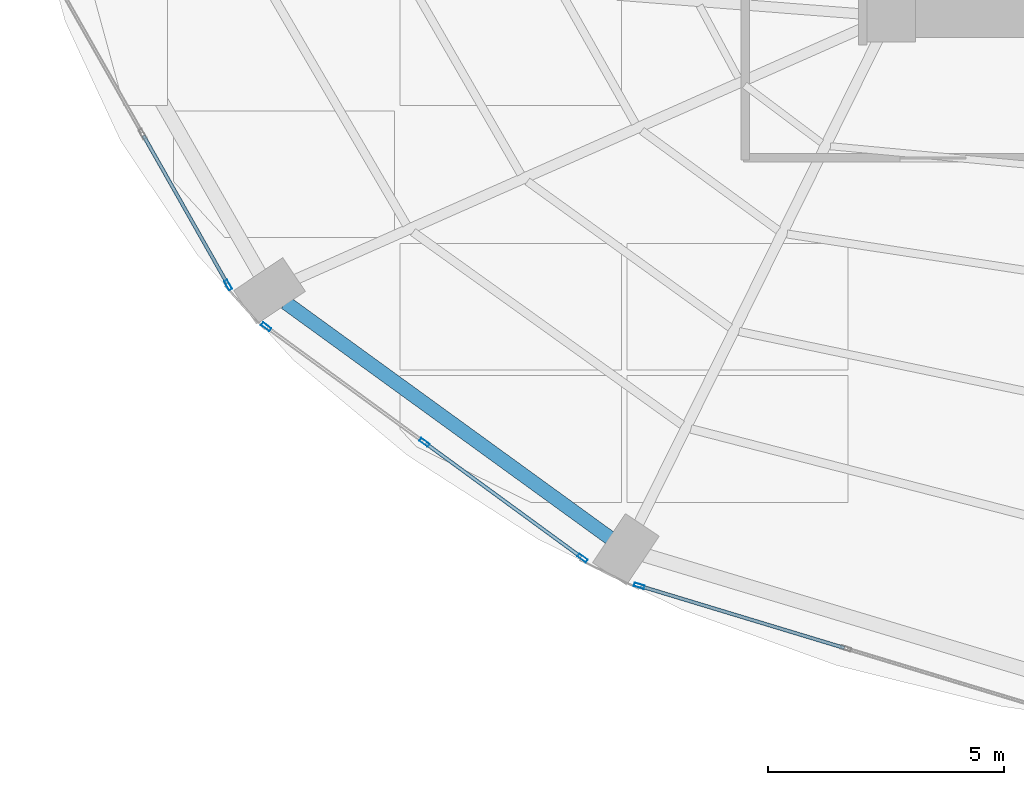
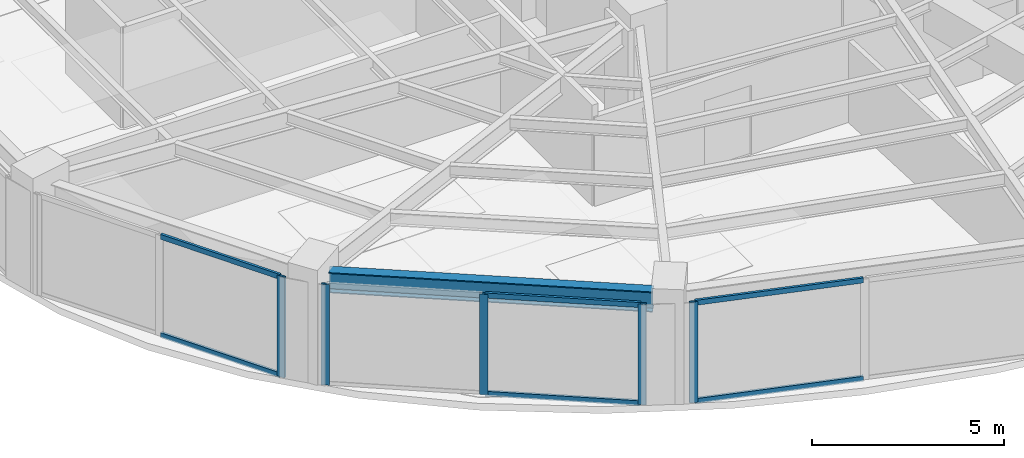
# One storey, part 2 of 24: 11 members, 1 beam, 3 elements without a shape of their own.
"""IFC4 building model written with IfcOpenShell, lengths in metres."""

from ifc_helpers import new_model, si_unit, direction, frame, origin, origin_2d, place, context, subcontext, project, spatial, hollow_rectangle, i_section, extrude, material, layer, layer_set, material_profile, profile_set, type_object, element, aggregate, save


model = new_model("IFC4")

# Units and contexts
model_context = context("Model", 3, precision=1e-05, world=origin(), true_north=direction((0.0, 1.0)))
body_context = subcontext(model_context, "Body", "Model", "MODEL_VIEW")
ifc_project = project(units=[si_unit("LENGTHUNIT", "METRE"), si_unit("AREAUNIT", "SQUARE_METRE"), si_unit("VOLUMEUNIT", "CUBIC_METRE"), si_unit("PLANEANGLEUNIT", "RADIAN"), si_unit("MASSUNIT", "GRAM", prefix="KILO")], contexts=[model_context])

# Site, building, storey
site_placement = place(None, origin())
site = spatial("IfcSite", under=ifc_project, at=site_placement, CompositionType="ELEMENT")
building_placement = place(site_placement, origin())
building = spatial("IfcBuilding", under=site, at=building_placement, Name="Lazwardi Medical Tower", CompositionType="ELEMENT")
storey_placement = place(building_placement, frame((0.0, 0.0, 72.6240234375)))
storey = spatial("IfcBuildingStorey", under=building, at=storey_placement, Name="L18", CompositionType="ELEMENT", Elevation=72.6240234375)

# Beam
ifc_material_1 = material(Name="Steel S355", Category="steel")
ifc_material_profile_1 = material_profile(ifc_material_1, i_section(OverallWidth=0.300048828125, OverallDepth=0.64990234375, WebThickness=0.01611328125, FlangeThickness=0.031005859375, at=origin_2d()), Name="HEB 650")
ifc_profile_set_1 = profile_set([ifc_material_profile_1], Name="Steel S355")
beam_type = type_object("IfcBeamType", Name="BM-RB-Z1", PredefinedType="BEAM", material=ifc_profile_set_1)
beam_placement = place(storey_placement, frame((13.6201171875, 14.339111328125, 2.873046875), z_axis=(0.809407079515, -0.587247971159, 0.0), x_axis=(0.587247971159, 0.809407079515, 0.0)))
element("IfcBeam", 1, at=beam_placement, inside=storey, type_object=beam_type, Name="Ring beam RB-02 B14 L18", PredefinedType="BEAM", context=body_context, shape_type="SweptSolid", body=[
    extrude(i_section(OverallWidth=0.300048828125, OverallDepth=0.64990234375, WebThickness=0.01611328125, FlangeThickness=0.031005859375, at=origin_2d()), origin(), (0.0, 0.0, 1.0), 8.473876953125),
])

# Curtain wall, member
ifc_material_2 = material(Name="Anodised bronze aluminium and solar control glazing", Category="aluminium")
ifc_layer = layer(ifc_material_2, 0.199951171875)
ifc_layer_set = layer_set([ifc_layer], Name="Anodised bronze aluminium and solar control glazing")
curtain_wall_type = type_object("IfcCurtainWallType", Name="CW-SYS-02", PredefinedType="NOTDEFINED", material=ifc_layer_set)
curtain_wall_1_placement = place(storey_placement, origin())
curtain_wall_1 = element("IfcCurtainWall", 2, at=curtain_wall_1_placement, inside=storey, type_object=curtain_wall_type, Name="L18 Unitised bronze curtain wall CW-02", PredefinedType="NOTDEFINED")
ifc_material_3 = material(Name="Anodised bronze aluminium", Category="aluminium")
ifc_material_profile_2 = material_profile(ifc_material_3, hollow_rectangle(XDim=0.074951171875, YDim=0.219970703125, WallThickness=0.00390625, at=origin_2d()), Name="ALU-MULLION 220x75x4")
ifc_profile_set_2 = profile_set([ifc_material_profile_2], Name="Anodised bronze aluminium")
member_type_1 = type_object("IfcMemberType", Name="CW-MUL-01", PredefinedType="MULLION", material=ifc_profile_set_2)
member_1_placement = place(storey_placement, frame((12.4033203125, 14.71142578125, 0.0), z_axis=(0.0, 0.0, 1.0), x_axis=(0.870111838823, 0.492854327303, 0.0)))
member_1 = element("IfcMember", 3, at=member_1_placement, type_object=member_type_1, Name="CW-02 mullion 3", PredefinedType="MULLION", context=body_context, shape_type="SweptSolid", body=[
    extrude(hollow_rectangle(XDim=0.074951171875, YDim=0.219970703125, WallThickness=0.00390625, at=origin_2d()), origin(), (0.0, 0.0, 1.0), 3.197998046875),
])

# Curtain wall, members
curtain_wall_2_placement = place(storey_placement, origin())
curtain_wall_2 = element("IfcCurtainWall", 4, at=curtain_wall_2_placement, inside=storey, type_object=curtain_wall_type, Name="L18 Unitised bronze curtain wall CW-02", PredefinedType="NOTDEFINED")
member_2_placement = place(storey_placement, frame((13.209716796875, 13.827392578125, 0.0), z_axis=(0.0, 0.0, 1.0), x_axis=(0.590289307341, 0.807191757663, 0.0)))
member_2 = element("IfcMember", 5, at=member_2_placement, type_object=member_type_1, Name="CW-02 mullion 1", PredefinedType="MULLION", context=body_context, shape_type="SweptSolid", body=[
    extrude(hollow_rectangle(XDim=0.074951171875, YDim=0.219970703125, WallThickness=0.00390625, at=origin_2d()), origin(), (0.0, 0.0, 1.0), 3.197998046875),
])
member_3_placement = place(storey_placement, frame((16.5556640625, 11.380615234375, 0.0), z_axis=(0.0, 0.0, 1.0), x_axis=(0.590289307341, 0.807191757663, 0.0)))
member_3 = element("IfcMember", 6, at=member_3_placement, type_object=member_type_1, Name="CW-02 mullion 2", PredefinedType="MULLION", context=body_context, shape_type="SweptSolid", body=[
    extrude(hollow_rectangle(XDim=0.074951171875, YDim=0.219970703125, WallThickness=0.00390625, at=origin_2d()), origin(), (0.0, 0.0, 1.0), 3.197998046875),
])
member_4_placement = place(storey_placement, frame((19.9013671875, 8.933837890625, 0.0), z_axis=(0.0, 0.0, 1.0), x_axis=(0.590289307341, 0.807191757663, 0.0)))
member_4 = element("IfcMember", 7, at=member_4_placement, type_object=member_type_1, Name="CW-02 mullion 3", PredefinedType="MULLION", context=body_context, shape_type="SweptSolid", body=[
    extrude(hollow_rectangle(XDim=0.074951171875, YDim=0.219970703125, WallThickness=0.00390625, at=origin_2d()), origin(), (0.0, 0.0, 1.0), 3.197998046875),
])

# Curtain wall, member
curtain_wall_3_placement = place(storey_placement, origin())
curtain_wall_3 = element("IfcCurtainWall", 8, at=curtain_wall_3_placement, inside=storey, type_object=curtain_wall_type, Name="L18 Unitised bronze curtain wall CW-02", PredefinedType="NOTDEFINED")
member_5_placement = place(storey_placement, frame((21.1015625, 8.346923828125, 0.0), z_axis=(0.0, 0.0, 1.0), x_axis=(0.2898956909, 0.957058247129, 0.0)))
member_5 = element("IfcMember", 9, at=member_5_placement, type_object=member_type_1, Name="CW-02 mullion 1", PredefinedType="MULLION", context=body_context, shape_type="SweptSolid", body=[
    extrude(hollow_rectangle(XDim=0.074951171875, YDim=0.219970703125, WallThickness=0.00390625, at=origin_2d()), origin(), (0.0, 0.0, 1.0), 3.197998046875),
])

# Member
ifc_material_profile_3 = material_profile(ifc_material_3, hollow_rectangle(XDim=0.074951171875, YDim=0.159912109375, WallThickness=0.00390625, at=origin_2d()), Name="ALU-TRANSOM 160x75x4")
ifc_profile_set_3 = profile_set([ifc_material_profile_3], Name="Anodised bronze aluminium")
member_type_2 = type_object("IfcMemberType", Name="CW-TRN-01", PredefinedType="USERDEFINED", material=ifc_profile_set_3)
member_6_placement = place(storey_placement, frame((10.613037109375, 17.871826171875, 0.03759765625), z_axis=(0.492880614687, -0.870096948429, 0.0), x_axis=(0.870096948429, 0.492880614687, 0.0)))
member_6 = element("IfcMember", 10, at=member_6_placement, type_object=member_type_2, Name="CW-02 transom 2.1", ObjectType="TRANSOM", PredefinedType="USERDEFINED", context=body_context, shape_type="SweptSolid", body=[
    extrude(hollow_rectangle(XDim=0.074951171875, YDim=0.159912109375, WallThickness=0.00390625, at=origin_2d()), origin(), (0.0, 0.0, 1.0), 3.5947265625),
])

member_7_placement = place(storey_placement, frame((10.613037109375, 17.871826171875, 3.160400390625), z_axis=(0.492880614687, -0.870096948429, 0.0), x_axis=(0.870096948429, 0.492880614687, 0.0)))
member_7 = element("IfcMember", 11, at=member_7_placement, type_object=member_type_2, Name="CW-02 transom 2.2", ObjectType="TRANSOM", PredefinedType="USERDEFINED", context=body_context, shape_type="SweptSolid", body=[
    extrude(hollow_rectangle(XDim=0.074951171875, YDim=0.159912109375, WallThickness=0.00390625, at=origin_2d()), origin(), (0.0, 0.0, 1.0), 3.5947265625),
])

aggregate(curtain_wall_1, [member_1, member_6, member_7])

member_8_placement = place(storey_placement, frame((16.5859375, 11.358642578125, 0.03759765625), z_axis=(0.807169053975, -0.590320352271, 0.0), x_axis=(0.590320352271, 0.807169053975, 0.0)))
member_8 = element("IfcMember", 12, at=member_8_placement, type_object=member_type_2, Name="CW-02 transom 2.1", ObjectType="TRANSOM", PredefinedType="USERDEFINED", context=body_context, shape_type="SweptSolid", body=[
    extrude(hollow_rectangle(XDim=0.074951171875, YDim=0.159912109375, WallThickness=0.00390625, at=origin_2d()), origin(), (0.0, 0.0, 1.0), 4.070068359375),
])

member_9_placement = place(storey_placement, frame((16.5859375, 11.358642578125, 3.160400390625), z_axis=(0.807169053975, -0.590320352271, 0.0), x_axis=(0.590320352271, 0.807169053975, 0.0)))
member_9 = element("IfcMember", 13, at=member_9_placement, type_object=member_type_2, Name="CW-02 transom 2.2", ObjectType="TRANSOM", PredefinedType="USERDEFINED", context=body_context, shape_type="SweptSolid", body=[
    extrude(hollow_rectangle(XDim=0.074951171875, YDim=0.159912109375, WallThickness=0.00390625, at=origin_2d()), origin(), (0.0, 0.0, 1.0), 4.070068359375),
])

aggregate(curtain_wall_2, [member_2, member_3, member_4, member_8, member_9])

member_10_placement = place(storey_placement, frame((21.137451171875, 8.3359375, 0.03759765625), z_axis=(0.957062297904, -0.289882317383, 0.0), x_axis=(0.289882317383, 0.957062297904, 0.0)))
member_10 = element("IfcMember", 14, at=member_10_placement, type_object=member_type_2, Name="CW-02 transom 1.1", ObjectType="TRANSOM", PredefinedType="USERDEFINED", context=body_context, shape_type="SweptSolid", body=[
    extrude(hollow_rectangle(XDim=0.074951171875, YDim=0.159912109375, WallThickness=0.00390625, at=origin_2d()), origin(), (0.0, 0.0, 1.0), 4.49658203125),
])

member_11_placement = place(storey_placement, frame((21.137451171875, 8.3359375, 3.160400390625), z_axis=(0.957062297904, -0.289882317383, 0.0), x_axis=(0.289882317383, 0.957062297904, 0.0)))
member_11 = element("IfcMember", 15, at=member_11_placement, type_object=member_type_2, Name="CW-02 transom 1.2", ObjectType="TRANSOM", PredefinedType="USERDEFINED", context=body_context, shape_type="SweptSolid", body=[
    extrude(hollow_rectangle(XDim=0.074951171875, YDim=0.159912109375, WallThickness=0.00390625, at=origin_2d()), origin(), (0.0, 0.0, 1.0), 4.49658203125),
])

aggregate(curtain_wall_3, [member_5, member_10, member_11])

save(model, "model.ifc")
